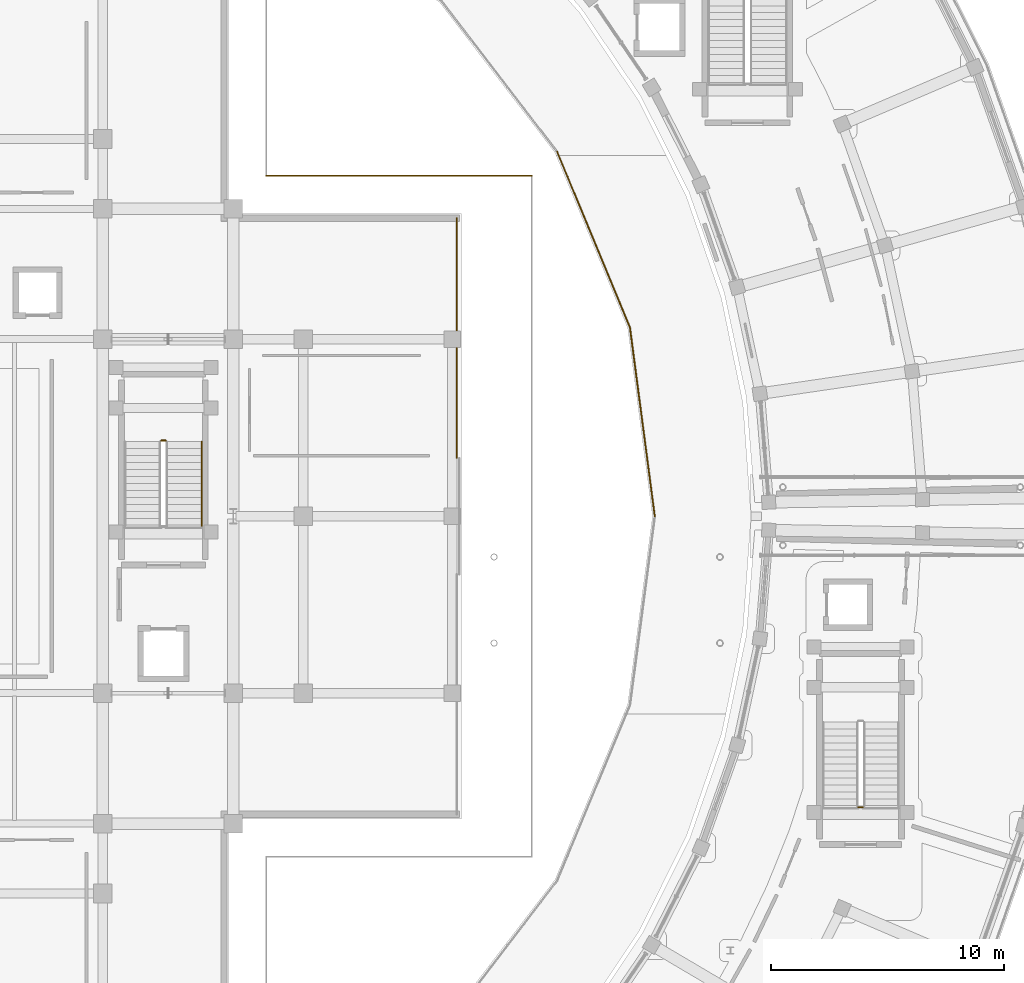
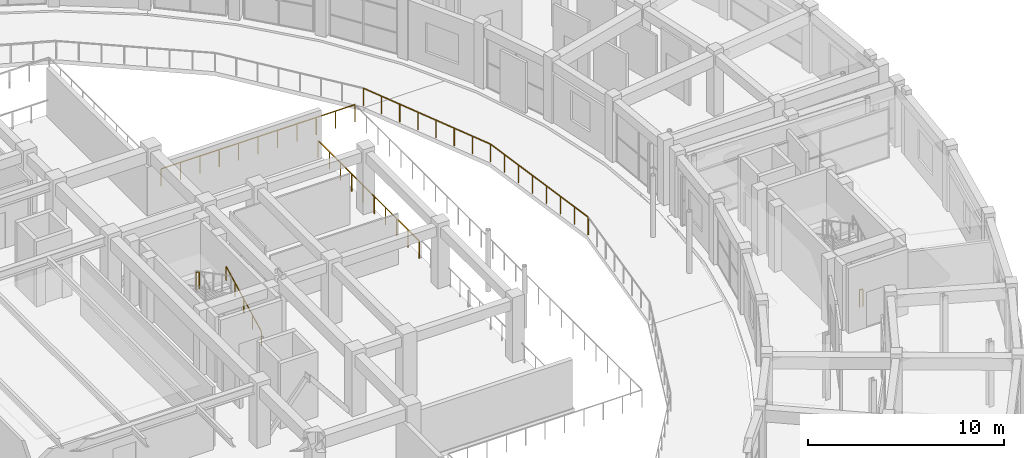
# One storey, part 78 of 83: 7 railings.
"""IFC4 building model written with IfcOpenShell, lengths in metres."""

from ifc_helpers import new_model, si_unit, direction, frame, origin, origin_2d, place, context, subcontext, project, spatial, rectangle, extrude, material, layer, layer_set, type_object, element, save


model = new_model("IFC4")

# Units and contexts
model_context = context("Model", 3, precision=1e-05, world=origin(), true_north=direction((0.0, 1.0)))
body_context = subcontext(model_context, "Body", "Model", "MODEL_VIEW")
ifc_project = project(units=[si_unit("LENGTHUNIT", "METRE"), si_unit("AREAUNIT", "SQUARE_METRE"), si_unit("VOLUMEUNIT", "CUBIC_METRE"), si_unit("PLANEANGLEUNIT", "RADIAN"), si_unit("MASSUNIT", "GRAM", prefix="KILO")], contexts=[model_context])

# Site, building, storey
site_placement = place(None, origin())
site = spatial("IfcSite", under=ifc_project, at=site_placement, CompositionType="ELEMENT")
building_placement = place(site_placement, origin())
building = spatial("IfcBuilding", under=site, at=building_placement, Name="Saryqyr Civic Hall", CompositionType="ELEMENT")
storey_placement = place(building_placement, frame((0.0, 0.0, 9.14990234375)))
storey = spatial("IfcBuildingStorey", under=building, at=storey_placement, Name="L02", CompositionType="ELEMENT", Elevation=9.14990234375)

# Railings
ifc_material_1 = material(Name="Stainless steel and laminated glass", Category="steel")
ifc_layer_1 = layer(ifc_material_1, 0.06005859375, Name="Stainless steel and laminated glass")
ifc_layer_set_1 = layer_set([ifc_layer_1], Name="Stainless steel and laminated glass")
railing_type_1 = type_object("IfcRailingType", Name="ENV-RLG-BAL-1100", PredefinedType="BALUSTRADE", material=ifc_layer_set_1)
railing_1_placement = place(storey_placement, frame((83.02001953125, 98.6201171875, 0.0)))
element("IfcRailing", 1, at=railing_1_placement, inside=storey, type_object=railing_type_1, Name="Perimeter safety balustrade V1-STEPG-L02-G05", PredefinedType="BALUSTRADE", context=body_context, shape_type="SweptSolid", body=[
    extrude(rectangle(XDim=0.048095703125, YDim=0.048095703125, at=origin_2d()), frame((0.0, 0.0, 1.076171875), z_axis=(-1.0, 0.0, 0.0), x_axis=(0.0, -1.0, 0.0)), (0.0, 0.0, 1.0), 11.39990234375),
    extrude(rectangle(XDim=0.0419921875, YDim=0.0419921875, at=origin_2d()), origin(), (0.0, 0.0, 1.0), 1.052001953125),
    extrude(rectangle(XDim=0.0419921875, YDim=0.0419921875, at=origin_2d()), frame((-1.139892578125, 0.0, 0.0)), (0.0, 0.0, 1.0), 1.052001953125),
    extrude(rectangle(XDim=0.0419921875, YDim=0.0419921875, at=origin_2d()), frame((-2.280029296875, 0.0, 0.0)), (0.0, 0.0, 1.0), 1.052001953125),
    extrude(rectangle(XDim=0.0419921875, YDim=0.0419921875, at=origin_2d()), frame((-3.419921875, 0.0, 0.0)), (0.0, 0.0, 1.0), 1.052001953125),
    extrude(rectangle(XDim=0.0419921875, YDim=0.0419921875, at=origin_2d()), frame((-4.56005859375, 0.0, 0.0)), (0.0, 0.0, 1.0), 1.052001953125),
    extrude(rectangle(XDim=0.0419921875, YDim=0.0419921875, at=origin_2d()), frame((-5.699951171875, 0.0, 0.0)), (0.0, 0.0, 1.0), 1.052001953125),
    extrude(rectangle(XDim=0.0419921875, YDim=0.0419921875, at=origin_2d()), frame((-6.83984375, 0.0, 0.0)), (0.0, 0.0, 1.0), 1.052001953125),
    extrude(rectangle(XDim=0.0419921875, YDim=0.0419921875, at=origin_2d()), frame((-7.97998046875, 0.0, 0.0)), (0.0, 0.0, 1.0), 1.052001953125),
    extrude(rectangle(XDim=0.0419921875, YDim=0.0419921875, at=origin_2d()), frame((-9.119873046875, 0.0, 0.0)), (0.0, 0.0, 1.0), 1.052001953125),
    extrude(rectangle(XDim=0.0419921875, YDim=0.0419921875, at=origin_2d()), frame((-10.260009765625, 0.0, 0.0)), (0.0, 0.0, 1.0), 1.052001953125),
    extrude(rectangle(XDim=0.0419921875, YDim=0.0419921875, at=origin_2d()), frame((-11.39990234375, 0.0, 0.0)), (0.0, 0.0, 1.0), 1.052001953125),
])
ifc_material_2 = material(Name="Warm brushed brass and laminated glass", Category="glass")
ifc_layer_2 = layer(ifc_material_2, 0.06005859375, Name="Warm brushed brass and laminated glass")
ifc_layer_set_2 = layer_set([ifc_layer_2], Name="Warm brushed brass and laminated glass")
railing_type_2 = type_object("IfcRailingType", Name="INT-RLG-BAL-1100", PredefinedType="BALUSTRADE", material=ifc_layer_set_2)
railing_2_placement = place(storey_placement, frame((79.800048828125, 86.5, 0.0)))
element("IfcRailing", 2, at=railing_2_placement, inside=storey, type_object=railing_type_2, Name="Perimeter safety balustrade V1-JNTGB-L02-08-G01", PredefinedType="BALUSTRADE", context=body_context, shape_type="SweptSolid", body=[
    extrude(rectangle(XDim=0.048095703125, YDim=0.048095703125, at=origin_2d()), frame((0.0, 0.0, 1.076171875), z_axis=(0.0, 1.0, 0.0), x_axis=(-1.0, 0.0, 0.0)), (0.0, 0.0, 1.0), 10.300048828125),
    extrude(rectangle(XDim=0.0419921875, YDim=0.0419921875, at=origin_2d()), origin(), (0.0, 0.0, 1.0), 1.052001953125),
    extrude(rectangle(XDim=0.0419921875, YDim=0.0419921875, at=origin_2d()), frame((0.0, 1.14453125, 0.0)), (0.0, 0.0, 1.0), 1.052001953125),
    extrude(rectangle(XDim=0.0419921875, YDim=0.0419921875, at=origin_2d()), frame((0.0, 2.288818359375, 0.0)), (0.0, 0.0, 1.0), 1.052001953125),
    extrude(rectangle(XDim=0.0419921875, YDim=0.0419921875, at=origin_2d()), frame((0.0, 3.433349609375, 0.0)), (0.0, 0.0, 1.0), 1.052001953125),
    extrude(rectangle(XDim=0.0419921875, YDim=0.0419921875, at=origin_2d()), frame((0.0, 4.577880859375, 0.0)), (0.0, 0.0, 1.0), 1.052001953125),
    extrude(rectangle(XDim=0.0419921875, YDim=0.0419921875, at=origin_2d()), frame((0.0, 5.72216796875, 0.0)), (0.0, 0.0, 1.0), 1.052001953125),
    extrude(rectangle(XDim=0.0419921875, YDim=0.0419921875, at=origin_2d()), frame((0.0, 6.86669921875, 0.0)), (0.0, 0.0, 1.0), 1.052001953125),
    extrude(rectangle(XDim=0.0419921875, YDim=0.0419921875, at=origin_2d()), frame((0.0, 8.01123046875, 0.0)), (0.0, 0.0, 1.0), 1.052001953125),
    extrude(rectangle(XDim=0.0419921875, YDim=0.0419921875, at=origin_2d()), frame((0.0, 9.155517578125, 0.0)), (0.0, 0.0, 1.0), 1.052001953125),
    extrude(rectangle(XDim=0.0419921875, YDim=0.0419921875, at=origin_2d()), frame((0.0, 10.300048828125, 0.0)), (0.0, 0.0, 1.0), 1.052001953125),
])
for number, where, name in (
    (3, (67.300048828125, 87.25, 2.025146484375), "L02 ST-2 stair guard 2"),
    (4, (97.239990234375, 71.510009765625, 0.0), "L02 ST-5 stair guard 4"),
):
    element("IfcRailing", number, at=place(storey_placement, frame(where)), inside=storey, type_object=railing_type_2, Name=name, PredefinedType="BALUSTRADE", context=body_context, shape_type="SweptSolid", body=[
        extrude(rectangle(XDim=0.048095703125, YDim=0.048095703125, at=origin_2d()), frame((0.0, 0.0, 1.076171875), z_axis=(-1.0, 0.0, 0.0), x_axis=(0.0, -1.0, 0.0)), (0.0, 0.0, 1.0), 0.199951171875),
        extrude(rectangle(XDim=0.0419921875, YDim=0.0419921875, at=origin_2d()), origin(), (0.0, 0.0, 1.0), 1.052001953125),
        extrude(rectangle(XDim=0.0419921875, YDim=0.0419921875, at=origin_2d()), frame((-0.199951171875, 0.0, 0.0)), (0.0, 0.0, 1.0), 1.052001953125),
    ])
railing_3_placement = place(storey_placement, frame((88.30078125, 84.0, 0.0)))
element("IfcRailing", 5, at=railing_3_placement, inside=storey, type_object=railing_type_2, Name="Interior deck safety balustrade L02-066", PredefinedType="BALUSTRADE", context=body_context, shape_type="SweptSolid", body=[
    extrude(rectangle(XDim=0.048095703125, YDim=0.048095703125, at=origin_2d()), frame((0.0, 0.0, 1.09619140625), z_axis=(-0.130507841558, 0.991447277112, 0.0), x_axis=(-0.991447277112, -0.130507841558, 0.0)), (0.0, 0.0, 1.0), 8.171142578125),
    extrude(rectangle(XDim=0.0419921875, YDim=0.0419921875, at=origin_2d()), origin(), (0.0, 0.0, 1.0), 1.072021484375),
    extrude(rectangle(XDim=0.0419921875, YDim=0.0419921875, at=origin_2d()), frame((-0.15234375, 1.1572265625, 0.0)), (0.0, 0.0, 1.0), 1.072021484375),
    extrude(rectangle(XDim=0.0419921875, YDim=0.0419921875, at=origin_2d()), frame((-0.3046875, 2.314697265625, 0.0)), (0.0, 0.0, 1.0), 1.072021484375),
    extrude(rectangle(XDim=0.0419921875, YDim=0.0419921875, at=origin_2d()), frame((-0.45703125, 3.471923828125, 0.0)), (0.0, 0.0, 1.0), 1.072021484375),
    extrude(rectangle(XDim=0.0419921875, YDim=0.0419921875, at=origin_2d()), frame((-0.609375, 4.62939453125, 0.0)), (0.0, 0.0, 1.0), 1.072021484375),
    extrude(rectangle(XDim=0.0419921875, YDim=0.0419921875, at=origin_2d()), frame((-0.76171875, 5.78662109375, 0.0)), (0.0, 0.0, 1.0), 1.072021484375),
    extrude(rectangle(XDim=0.0419921875, YDim=0.0419921875, at=origin_2d()), frame((-0.9140625, 6.944091796875, 0.0)), (0.0, 0.0, 1.0), 1.072021484375),
    extrude(rectangle(XDim=0.0419921875, YDim=0.0419921875, at=origin_2d()), frame((-1.06640625, 8.101318359375, 0.0)), (0.0, 0.0, 1.0), 1.072021484375),
])
railing_4_placement = place(storey_placement, frame((87.234375, 92.101318359375, 0.0)))
element("IfcRailing", 6, at=railing_4_placement, inside=storey, type_object=railing_type_2, Name="Interior deck safety balustrade L02-067", PredefinedType="BALUSTRADE", context=body_context, shape_type="SweptSolid", body=[
    extrude(rectangle(XDim=0.048095703125, YDim=0.048095703125, at=origin_2d()), frame((0.0, 0.0, 1.09619140625), z_axis=(-0.382686044841, 0.923878450384, 0.0), x_axis=(-0.923878450384, -0.382686044841, 0.0)), (0.0, 0.0, 1.0), 8.171142578125),
    extrude(rectangle(XDim=0.0419921875, YDim=0.0419921875, at=origin_2d()), origin(), (0.0, 0.0, 1.0), 1.072021484375),
    extrude(rectangle(XDim=0.0419921875, YDim=0.0419921875, at=origin_2d()), frame((-0.44677734375, 1.078369140625, 0.0)), (0.0, 0.0, 1.0), 1.072021484375),
    extrude(rectangle(XDim=0.0419921875, YDim=0.0419921875, at=origin_2d()), frame((-0.893310546875, 2.156982421875, 0.0)), (0.0, 0.0, 1.0), 1.072021484375),
    extrude(rectangle(XDim=0.0419921875, YDim=0.0419921875, at=origin_2d()), frame((-1.340087890625, 3.2353515625, 0.0)), (0.0, 0.0, 1.0), 1.072021484375),
    extrude(rectangle(XDim=0.0419921875, YDim=0.0419921875, at=origin_2d()), frame((-1.786865234375, 4.313720703125, 0.0)), (0.0, 0.0, 1.0), 1.072021484375),
    extrude(rectangle(XDim=0.0419921875, YDim=0.0419921875, at=origin_2d()), frame((-2.233642578125, 5.39208984375, 0.0)), (0.0, 0.0, 1.0), 1.072021484375),
    extrude(rectangle(XDim=0.0419921875, YDim=0.0419921875, at=origin_2d()), frame((-2.68017578125, 6.470703125, 0.0)), (0.0, 0.0, 1.0), 1.072021484375),
    extrude(rectangle(XDim=0.0419921875, YDim=0.0419921875, at=origin_2d()), frame((-3.126953125, 7.549072265625, 0.0)), (0.0, 0.0, 1.0), 1.072021484375),
])
ifc_material_3 = material(Name="Stainless steel", Category="steel")
ifc_layer_3 = layer(ifc_material_3, 0.050048828125, Name="Stainless steel")
ifc_layer_set_3 = layer_set([ifc_layer_3], Name="Stainless steel")
railing_type_3 = type_object("IfcRailingType", Name="INT-RLG-HND-900", PredefinedType="HANDRAIL", material=ifc_layer_set_3)
railing_5_placement = place(storey_placement, frame((68.85009765625, 83.60009765625, 0.15576171875)))
element("IfcRailing", 7, at=railing_5_placement, inside=storey, type_object=railing_type_3, Name="L02 ST-2 stair handrail 1", PredefinedType="HANDRAIL", context=body_context, shape_type="SweptSolid", body=[
    extrude(rectangle(XDim=0.048095703125, YDim=0.048095703125, at=origin_2d()), frame((0.0, 0.0, 0.8759765625), z_axis=(0.0, 0.887472880572, 0.460859942119), x_axis=(-1.0, 0.0, 0.0)), (0.0, 0.0, 1.0), 4.056396484375),
    extrude(rectangle(XDim=0.0419921875, YDim=0.0419921875, at=origin_2d()), origin(), (0.0, 0.0, 1.0), 0.851806640625),
    extrude(rectangle(XDim=0.0419921875, YDim=0.0419921875, at=origin_2d()), frame((0.0, 0.89990234375, 0.46728515625)), (0.0, 0.0, 1.0), 0.851806640625),
    extrude(rectangle(XDim=0.0419921875, YDim=0.0419921875, at=origin_2d()), frame((0.0, 1.7998046875, 0.9345703125)), (0.0, 0.0, 1.0), 0.851806640625),
    extrude(rectangle(XDim=0.0419921875, YDim=0.0419921875, at=origin_2d()), frame((0.0, 2.699951171875, 1.402099609375)), (0.0, 0.0, 1.0), 0.851806640625),
    extrude(rectangle(XDim=0.0419921875, YDim=0.0419921875, at=origin_2d()), frame((0.0, 3.599853515625, 1.869384765625)), (0.0, 0.0, 1.0), 0.851806640625),
])

save(model, "model.ifc")
